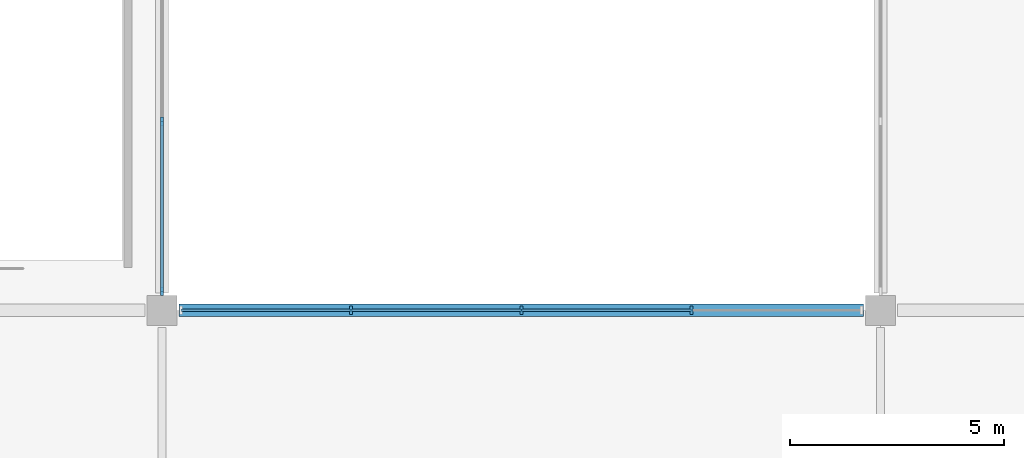
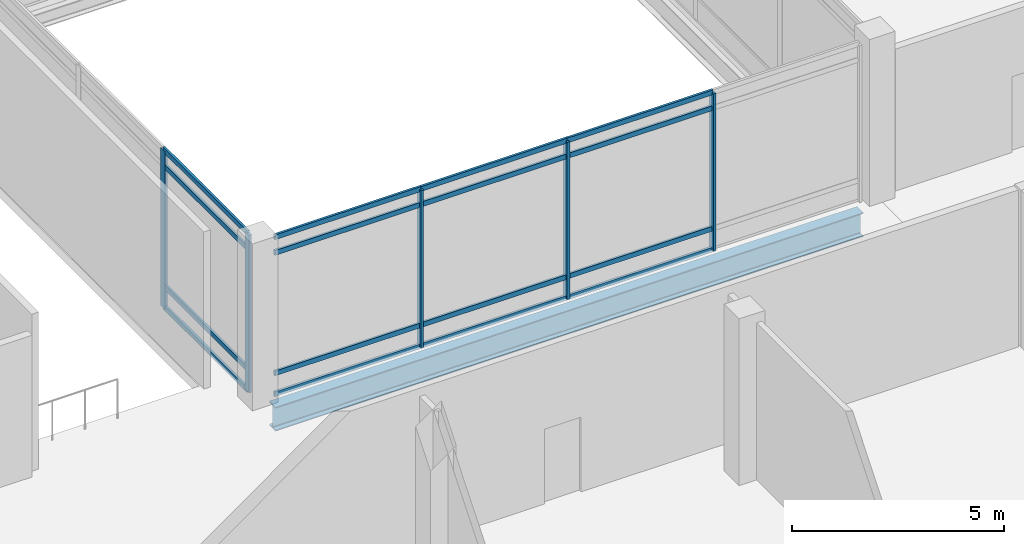
# One storey, part 3 of 110: 21 members, 1 beam, 2 elements without a shape of their own.
"""IFC4 building model written with IfcOpenShell, lengths in metres."""

from ifc_helpers import new_model, si_unit, direction, frame, origin, origin_2d, place, context, subcontext, project, spatial, rectangle, i_section, extrude, material, layer, layer_set, material_profile, profile_set, type_object, element, aggregate, save


model = new_model("IFC4")

# Units and contexts
model_context = context("Model", 3, precision=1e-05, world=origin(), true_north=direction((0.0, 1.0)))
body_context = subcontext(model_context, "Body", "Model", "MODEL_VIEW")
ifc_project = project(units=[si_unit("LENGTHUNIT", "METRE"), si_unit("AREAUNIT", "SQUARE_METRE"), si_unit("VOLUMEUNIT", "CUBIC_METRE"), si_unit("PLANEANGLEUNIT", "RADIAN"), si_unit("MASSUNIT", "GRAM", prefix="KILO")], contexts=[model_context])

# Site, building, storey
site_placement = place(None, origin())
site = spatial("IfcSite", under=ifc_project, at=site_placement, CompositionType="ELEMENT")
building_placement = place(site_placement, origin())
building = spatial("IfcBuilding", under=site, at=building_placement, Name="Qawsi Khor Wholesale Market", CompositionType="ELEMENT")
storey_placement = place(building_placement, frame((0.0, 0.0, 11.39990234375)))
storey = spatial("IfcBuildingStorey", under=building, at=storey_placement, Name="L02", CompositionType="ELEMENT", Elevation=11.39990234375)

# Curtain wall, members
ifc_material_1 = material(Name="Aluminium Anodised Bronze", Category="aluminium")
ifc_layer = layer(ifc_material_1, 0.179931640625, Name="Aluminium Anodised Bronze")
ifc_layer_set = layer_set([ifc_layer], Name="Aluminium Anodised Bronze")
curtain_wall_type = type_object("IfcCurtainWallType", Name="Atrium Full-Height Curtain Wall CW-02", PredefinedType="NOTDEFINED", material=ifc_layer_set)
curtain_wall_1_placement = place(storey_placement, origin())
curtain_wall_1 = element("IfcCurtainWall", 1, at=curtain_wall_1_placement, inside=storey, type_object=curtain_wall_type, Name="Curtain wall CW-CW-02-L02-021", PredefinedType="NOTDEFINED")
ifc_material_profile_1 = material_profile(ifc_material_1, rectangle(XDim=0.070068359375, YDim=0.199951171875, at=origin_2d()), Name="ALU MULLION 70x200")
ifc_profile_set_1 = profile_set([ifc_material_profile_1], Name="Aluminium Anodised Bronze")
member_type_1 = type_object("IfcMemberType", Name="Curtain Wall Mullion CW-02 ALU MULLION 70x200", PredefinedType="MULLION", material=ifc_profile_set_1)
member_1_placement = place(storey_placement, frame((54.822509765625, 25.199951171875, -0.02001953125), z_axis=(0.0, 0.0, 1.0), x_axis=(1.0, 0.0, 0.0)))
member_1 = element("IfcMember", 2, at=member_1_placement, type_object=member_type_1, Name="Mullion CW-CW-02-L02-021-M01", PredefinedType="MULLION", context=body_context, shape_type="SweptSolid", body=[
    extrude(rectangle(XDim=0.070068359375, YDim=0.199951171875, at=origin_2d()), origin(), (0.0, 0.0, 1.0), 4.5400390625),
])
member_2_placement = place(storey_placement, frame((58.800048828125, 25.199951171875, -0.02001953125), z_axis=(0.0, 0.0, 1.0), x_axis=(1.0, 0.0, 0.0)))
member_2 = element("IfcMember", 3, at=member_2_placement, type_object=member_type_1, Name="Mullion CW-CW-02-L02-021-M02", PredefinedType="MULLION", context=body_context, shape_type="SweptSolid", body=[
    extrude(rectangle(XDim=0.070068359375, YDim=0.199951171875, at=origin_2d()), origin(), (0.0, 0.0, 1.0), 4.5400390625),
])
member_3_placement = place(storey_placement, frame((62.777587890625, 25.199951171875, -0.02001953125), z_axis=(0.0, 0.0, 1.0), x_axis=(1.0, 0.0, 0.0)))
member_3 = element("IfcMember", 4, at=member_3_placement, type_object=member_type_1, Name="Mullion CW-CW-02-L02-021-M03", PredefinedType="MULLION", context=body_context, shape_type="SweptSolid", body=[
    extrude(rectangle(XDim=0.070068359375, YDim=0.199951171875, at=origin_2d()), origin(), (0.0, 0.0, 1.0), 4.5400390625),
])

curtain_wall_2_placement = place(storey_placement, origin())
curtain_wall_2 = element("IfcCurtainWall", 5, at=curtain_wall_2_placement, inside=storey, type_object=curtain_wall_type, Name="Curtain wall CW-CW-02-L02-024", PredefinedType="NOTDEFINED")
member_4_placement = place(storey_placement, frame((50.39990234375, 25.64501953125, -0.02001953125), z_axis=(0.0, 0.0, 1.0), x_axis=(1.0, 0.0, 0.0)))
member_4 = element("IfcMember", 6, at=member_4_placement, type_object=member_type_1, Name="Mullion CW-CW-02-L02-024-M00", PredefinedType="MULLION", context=body_context, shape_type="SweptSolid", body=[
    extrude(rectangle(XDim=0.070068359375, YDim=0.199951171875, at=origin_2d()), origin(), (0.0, 0.0, 1.0), 4.5400390625),
])
member_5_placement = place(storey_placement, frame((50.39990234375, 29.62255859375, -0.02001953125), z_axis=(0.0, 0.0, 1.0), x_axis=(1.0, 0.0, 0.0)))
member_5 = element("IfcMember", 7, at=member_5_placement, type_object=member_type_1, Name="Mullion CW-CW-02-L02-024-M01", PredefinedType="MULLION", context=body_context, shape_type="SweptSolid", body=[
    extrude(rectangle(XDim=0.070068359375, YDim=0.199951171875, at=origin_2d()), origin(), (0.0, 0.0, 1.0), 4.5400390625),
])

# Member
ifc_material_profile_2 = material_profile(ifc_material_1, rectangle(XDim=0.06494140625, YDim=0.139892578125, at=origin_2d()), Name="ALU TRANSOM 65x140")
ifc_profile_set_2 = profile_set([ifc_material_profile_2], Name="Aluminium Anodised Bronze")
member_type_2 = type_object("IfcMemberType", Name="Curtain Wall Transom CW-02 ALU TRANSOM 65x140", PredefinedType="USERDEFINED", material=ifc_profile_set_2)
member_6_placement = place(storey_placement, frame((50.844970703125, 25.199951171875, 0.0), z_axis=(1.0, 0.0, 0.0), x_axis=(0.0, 1.0, 0.0)))
member_6 = element("IfcMember", 8, at=member_6_placement, type_object=member_type_2, Name="Transom CW-CW-02-L02-021-T0_00", ObjectType="TRANSOM", PredefinedType="USERDEFINED", context=body_context, shape_type="SweptSolid", body=[
    extrude(rectangle(XDim=0.06494140625, YDim=0.139892578125, at=origin_2d()), origin(), (0.0, 0.0, 1.0), 3.9775390625),
])

member_7_placement = place(storey_placement, frame((54.822509765625, 25.199951171875, 0.0), z_axis=(1.0, 0.0, 0.0), x_axis=(0.0, 1.0, 0.0)))
member_7 = element("IfcMember", 9, at=member_7_placement, type_object=member_type_2, Name="Transom CW-CW-02-L02-021-T0_01", ObjectType="TRANSOM", PredefinedType="USERDEFINED", context=body_context, shape_type="SweptSolid", body=[
    extrude(rectangle(XDim=0.06494140625, YDim=0.139892578125, at=origin_2d()), origin(), (0.0, 0.0, 1.0), 3.9775390625),
])

member_8_placement = place(storey_placement, frame((58.800048828125, 25.199951171875, 0.0), z_axis=(1.0, 0.0, 0.0), x_axis=(0.0, 1.0, 0.0)))
member_8 = element("IfcMember", 10, at=member_8_placement, type_object=member_type_2, Name="Transom CW-CW-02-L02-021-T0_02", ObjectType="TRANSOM", PredefinedType="USERDEFINED", context=body_context, shape_type="SweptSolid", body=[
    extrude(rectangle(XDim=0.06494140625, YDim=0.139892578125, at=origin_2d()), origin(), (0.0, 0.0, 1.0), 3.9775390625),
])

member_9_placement = place(storey_placement, frame((50.844970703125, 25.199951171875, 0.60009765625), z_axis=(1.0, 0.0, 0.0), x_axis=(0.0, 1.0, 0.0)))
member_9 = element("IfcMember", 11, at=member_9_placement, type_object=member_type_2, Name="Transom CW-CW-02-L02-021-T1_00", ObjectType="TRANSOM", PredefinedType="USERDEFINED", context=body_context, shape_type="SweptSolid", body=[
    extrude(rectangle(XDim=0.06494140625, YDim=0.139892578125, at=origin_2d()), origin(), (0.0, 0.0, 1.0), 3.9775390625),
])

member_10_placement = place(storey_placement, frame((54.822509765625, 25.199951171875, 0.60009765625), z_axis=(1.0, 0.0, 0.0), x_axis=(0.0, 1.0, 0.0)))
member_10 = element("IfcMember", 12, at=member_10_placement, type_object=member_type_2, Name="Transom CW-CW-02-L02-021-T1_01", ObjectType="TRANSOM", PredefinedType="USERDEFINED", context=body_context, shape_type="SweptSolid", body=[
    extrude(rectangle(XDim=0.06494140625, YDim=0.139892578125, at=origin_2d()), origin(), (0.0, 0.0, 1.0), 3.9775390625),
])

member_11_placement = place(storey_placement, frame((58.800048828125, 25.199951171875, 0.60009765625), z_axis=(1.0, 0.0, 0.0), x_axis=(0.0, 1.0, 0.0)))
member_11 = element("IfcMember", 13, at=member_11_placement, type_object=member_type_2, Name="Transom CW-CW-02-L02-021-T1_02", ObjectType="TRANSOM", PredefinedType="USERDEFINED", context=body_context, shape_type="SweptSolid", body=[
    extrude(rectangle(XDim=0.06494140625, YDim=0.139892578125, at=origin_2d()), origin(), (0.0, 0.0, 1.0), 3.9775390625),
])

member_12_placement = place(storey_placement, frame((50.844970703125, 25.199951171875, 4.070068359375), z_axis=(1.0, 0.0, 0.0), x_axis=(0.0, 1.0, 0.0)))
member_12 = element("IfcMember", 14, at=member_12_placement, type_object=member_type_2, Name="Transom CW-CW-02-L02-021-T2_00", ObjectType="TRANSOM", PredefinedType="USERDEFINED", context=body_context, shape_type="SweptSolid", body=[
    extrude(rectangle(XDim=0.06494140625, YDim=0.139892578125, at=origin_2d()), origin(), (0.0, 0.0, 1.0), 3.9775390625),
])

member_13_placement = place(storey_placement, frame((54.822509765625, 25.199951171875, 4.070068359375), z_axis=(1.0, 0.0, 0.0), x_axis=(0.0, 1.0, 0.0)))
member_13 = element("IfcMember", 15, at=member_13_placement, type_object=member_type_2, Name="Transom CW-CW-02-L02-021-T2_01", ObjectType="TRANSOM", PredefinedType="USERDEFINED", context=body_context, shape_type="SweptSolid", body=[
    extrude(rectangle(XDim=0.06494140625, YDim=0.139892578125, at=origin_2d()), origin(), (0.0, 0.0, 1.0), 3.9775390625),
])

member_14_placement = place(storey_placement, frame((58.800048828125, 25.199951171875, 4.070068359375), z_axis=(1.0, 0.0, 0.0), x_axis=(0.0, 1.0, 0.0)))
member_14 = element("IfcMember", 16, at=member_14_placement, type_object=member_type_2, Name="Transom CW-CW-02-L02-021-T2_02", ObjectType="TRANSOM", PredefinedType="USERDEFINED", context=body_context, shape_type="SweptSolid", body=[
    extrude(rectangle(XDim=0.06494140625, YDim=0.139892578125, at=origin_2d()), origin(), (0.0, 0.0, 1.0), 3.9775390625),
])

member_15_placement = place(storey_placement, frame((50.844970703125, 25.199951171875, 4.52001953125), z_axis=(1.0, 0.0, 0.0), x_axis=(0.0, 1.0, 0.0)))
member_15 = element("IfcMember", 17, at=member_15_placement, type_object=member_type_2, Name="Transom CW-CW-02-L02-021-T3_00", ObjectType="TRANSOM", PredefinedType="USERDEFINED", context=body_context, shape_type="SweptSolid", body=[
    extrude(rectangle(XDim=0.06494140625, YDim=0.139892578125, at=origin_2d()), origin(), (0.0, 0.0, 1.0), 3.9775390625),
])

member_16_placement = place(storey_placement, frame((54.822509765625, 25.199951171875, 4.52001953125), z_axis=(1.0, 0.0, 0.0), x_axis=(0.0, 1.0, 0.0)))
member_16 = element("IfcMember", 18, at=member_16_placement, type_object=member_type_2, Name="Transom CW-CW-02-L02-021-T3_01", ObjectType="TRANSOM", PredefinedType="USERDEFINED", context=body_context, shape_type="SweptSolid", body=[
    extrude(rectangle(XDim=0.06494140625, YDim=0.139892578125, at=origin_2d()), origin(), (0.0, 0.0, 1.0), 3.9775390625),
])

member_17_placement = place(storey_placement, frame((58.800048828125, 25.199951171875, 4.52001953125), z_axis=(1.0, 0.0, 0.0), x_axis=(0.0, 1.0, 0.0)))
member_17 = element("IfcMember", 19, at=member_17_placement, type_object=member_type_2, Name="Transom CW-CW-02-L02-021-T3_02", ObjectType="TRANSOM", PredefinedType="USERDEFINED", context=body_context, shape_type="SweptSolid", body=[
    extrude(rectangle(XDim=0.06494140625, YDim=0.139892578125, at=origin_2d()), origin(), (0.0, 0.0, 1.0), 3.9775390625),
])

aggregate(curtain_wall_1, [member_1, member_2, member_3, member_6, member_7, member_8, member_9, member_10, member_11, member_12, member_13, member_14, member_15, member_16, member_17])

member_18_placement = place(storey_placement, frame((50.39990234375, 25.64501953125, 0.0), z_axis=(0.0, 1.0, 0.0), x_axis=(-1.0, 0.0, 0.0)))
member_18 = element("IfcMember", 20, at=member_18_placement, type_object=member_type_2, Name="Transom CW-CW-02-L02-024-T0_00", ObjectType="TRANSOM", PredefinedType="USERDEFINED", context=body_context, shape_type="SweptSolid", body=[
    extrude(rectangle(XDim=0.06494140625, YDim=0.139892578125, at=origin_2d()), origin(), (0.0, 0.0, 1.0), 3.9775390625),
])

member_19_placement = place(storey_placement, frame((50.39990234375, 25.64501953125, 0.60009765625), z_axis=(0.0, 1.0, 0.0), x_axis=(-1.0, 0.0, 0.0)))
member_19 = element("IfcMember", 21, at=member_19_placement, type_object=member_type_2, Name="Transom CW-CW-02-L02-024-T1_00", ObjectType="TRANSOM", PredefinedType="USERDEFINED", context=body_context, shape_type="SweptSolid", body=[
    extrude(rectangle(XDim=0.06494140625, YDim=0.139892578125, at=origin_2d()), origin(), (0.0, 0.0, 1.0), 3.9775390625),
])

member_20_placement = place(storey_placement, frame((50.39990234375, 25.64501953125, 4.070068359375), z_axis=(0.0, 1.0, 0.0), x_axis=(-1.0, 0.0, 0.0)))
member_20 = element("IfcMember", 22, at=member_20_placement, type_object=member_type_2, Name="Transom CW-CW-02-L02-024-T2_00", ObjectType="TRANSOM", PredefinedType="USERDEFINED", context=body_context, shape_type="SweptSolid", body=[
    extrude(rectangle(XDim=0.06494140625, YDim=0.139892578125, at=origin_2d()), origin(), (0.0, 0.0, 1.0), 3.9775390625),
])

member_21_placement = place(storey_placement, frame((50.39990234375, 25.64501953125, 4.52001953125), z_axis=(0.0, 1.0, 0.0), x_axis=(-1.0, 0.0, 0.0)))
member_21 = element("IfcMember", 23, at=member_21_placement, type_object=member_type_2, Name="Transom CW-CW-02-L02-024-T3_00", ObjectType="TRANSOM", PredefinedType="USERDEFINED", context=body_context, shape_type="SweptSolid", body=[
    extrude(rectangle(XDim=0.06494140625, YDim=0.139892578125, at=origin_2d()), origin(), (0.0, 0.0, 1.0), 3.9775390625),
])

aggregate(curtain_wall_2, [member_4, member_5, member_18, member_19, member_20, member_21])

# Beam
ifc_material_2 = material(Name="Steel S355", Category="steel")
ifc_material_profile_3 = material_profile(ifc_material_2, i_section(OverallWidth=0.300048828125, OverallDepth=0.68994140625, WebThickness=0.014404296875, FlangeThickness=0.027099609375, FilletRadius=0.027099609375, at=origin_2d()), Name="HEA 700")
ifc_profile_set_3 = profile_set([ifc_material_profile_3], Name="Steel S355")
beam_type = type_object("IfcBeamType", Name="Primary Girder HEA 700", PredefinedType="BEAM", material=ifc_profile_set_3)
beam_placement = place(storey_placement, frame((50.800048828125, 25.199951171875, -0.625), z_axis=(1.0, 0.0, 0.0), x_axis=(0.0, 1.0, 0.0)))
element("IfcBeam", 24, at=beam_placement, inside=storey, type_object=beam_type, Name="BM-XL-L02-06_+03", PredefinedType="BEAM", context=body_context, shape_type="SweptSolid", body=[
    extrude(i_section(OverallWidth=0.300048828125, OverallDepth=0.68994140625, WebThickness=0.014404296875, FlangeThickness=0.027099609375, FilletRadius=0.027099609375, at=origin_2d()), origin(), (0.0, 0.0, 1.0), 16.0),
])

save(model, "model.ifc")
